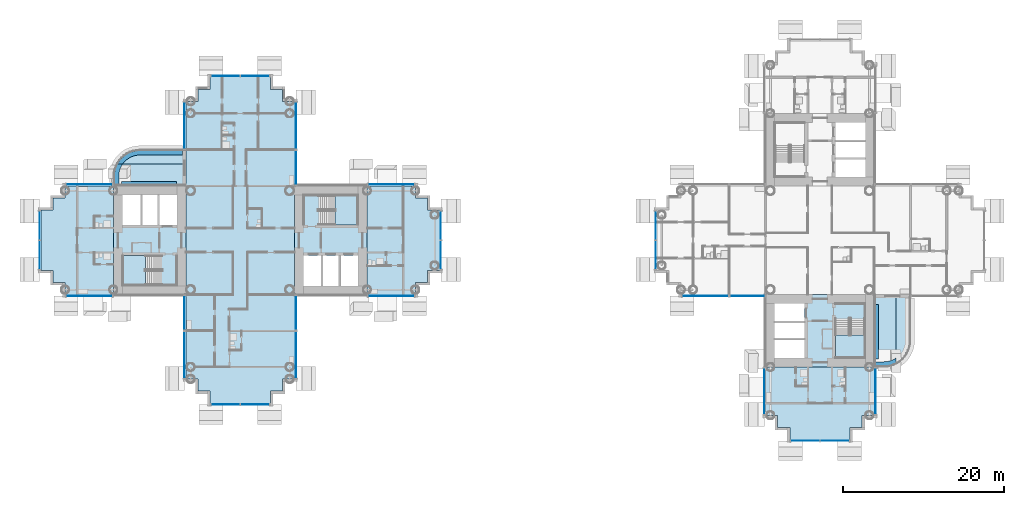
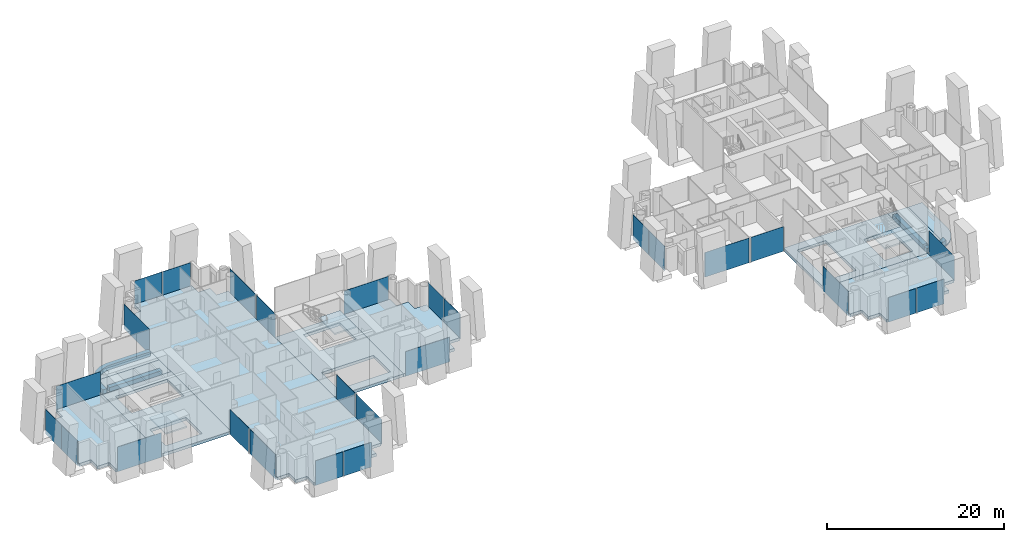
# One storey, part 8 of 25: 27 plates, 19 slabs, 24 elements without a shape of their own.
"""IFC4 building model written with IfcOpenShell, lengths in metres."""

from ifc_helpers import new_model, si_unit, direction, frame, origin, origin_2d, place, context, subcontext, project, spatial, polyline, rectangle, outline, extrude, material, layer, layer_set, type_object, element, aggregate, save


model = new_model("IFC4")

# Units and contexts
model_context = context("Model", 3, precision=1e-05, world=origin(), true_north=direction((0.0, 1.0)))
body_context = subcontext(model_context, "Body", "Model", "MODEL_VIEW")
ifc_project = project(units=[si_unit("LENGTHUNIT", "METRE"), si_unit("AREAUNIT", "SQUARE_METRE"), si_unit("VOLUMEUNIT", "CUBIC_METRE"), si_unit("PLANEANGLEUNIT", "RADIAN"), si_unit("MASSUNIT", "GRAM", prefix="KILO")], contexts=[model_context])

# Site, building, storey
site_placement = place(None, origin())
site = spatial("IfcSite", under=ifc_project, at=site_placement, CompositionType="ELEMENT")
building_placement = place(site_placement, origin())
building = spatial("IfcBuilding", under=site, at=building_placement, Name="Ipe Terrace Towers", CompositionType="ELEMENT")
storey_placement = place(building_placement, frame((0.0, 0.0, 31.300048828125)))
storey = spatial("IfcBuildingStorey", under=building, at=storey_placement, Name="L07", CompositionType="ELEMENT", Elevation=31.300048828125)

# Slabs
ifc_material_1 = material(Name="Concrete C30/37", Category="concrete")
ifc_layer_1 = layer(ifc_material_1, 0.199951171875)
ifc_layer_set_1 = layer_set([ifc_layer_1], Name="BALCONY SLAB 200")
slab_type_1 = type_object("IfcSlabType", Name="BALCONY SLAB 200", PredefinedType="FLOOR", material=ifc_layer_set_1)
slab_1_placement = place(storey_placement, frame((0.0, 0.0, -0.219970703125)))
element("IfcSlab", 1, at=slab_1_placement, inside=storey, type_object=slab_type_1, Name="balcony slab", PredefinedType="FLOOR", context=body_context, shape_type="SweptSolid", body=[
    extrude(outline(polyline([(-51.4990234375, 9.212890625), (-51.637939453125, 8.803955078125), (-51.721923828125, 8.381103515625), (-51.75, 7.949951171875), (-51.75, 6.75), (-42.75, 6.75), (-42.75, 9.449951171875), (-51.382080078125, 9.449951171875), (-51.4990234375, 9.212890625)])), origin(), (0.0, 0.0, 1.0), 0.199951171875),
])
slab_2_placement = place(storey_placement, frame((0.0, 0.0, -0.219970703125)))
element("IfcSlab", 2, at=slab_2_placement, inside=storey, type_object=slab_type_1, Name="balcony slab", PredefinedType="FLOOR", context=body_context, shape_type="SweptSolid", body=[
    extrude(outline(polyline([(-42.75, 11.25), (-48.449951171875, 11.25), (-48.881103515625, 11.221923828125), (-49.303955078125, 11.137939453125), (-49.712890625, 10.9990234375), (-50.10009765625, 10.80810546875), (-50.458984375, 10.568115234375), (-50.782958984375, 10.282958984375), (-51.068115234375, 9.958984375), (-51.30810546875, 9.60009765625), (-51.382080078125, 9.449951171875), (-42.75, 9.449951171875), (-42.75, 11.25)])), origin(), (0.0, 0.0, 1.0), 0.199951171875),
])
slab_3_placement = place(storey_placement, frame((0.0, 0.0, -0.219970703125)))
element("IfcSlab", 3, at=slab_3_placement, inside=storey, type_object=slab_type_1, Name="balcony slab", PredefinedType="FLOOR", context=body_context, shape_type="SweptSolid", body=[
    extrude(outline(polyline([(45.212890625, -15.4990234375), (45.449951171875, -15.382080078125), (45.449951171875, -6.75), (42.75, -6.75), (42.75, -15.75), (43.949951171875, -15.75), (44.381103515625, -15.721923828125), (44.803955078125, -15.637939453125), (45.212890625, -15.4990234375)])), origin(), (0.0, 0.0, 1.0), 0.199951171875),
])
slab_4_placement = place(storey_placement, frame((0.0, 0.0, -0.219970703125)))
element("IfcSlab", 4, at=slab_4_placement, inside=storey, type_object=slab_type_1, Name="balcony slab", PredefinedType="FLOOR", context=body_context, shape_type="SweptSolid", body=[
    extrude(outline(polyline([(47.25, -6.75), (45.449951171875, -6.75), (45.449951171875, -15.382080078125), (45.60009765625, -15.30810546875), (45.958984375, -15.068115234375), (46.282958984375, -14.782958984375), (46.568115234375, -14.458984375), (46.80810546875, -14.10009765625), (46.9990234375, -13.712890625), (47.137939453125, -13.303955078125), (47.221923828125, -12.881103515625), (47.25, -12.449951171875), (47.25, -6.75)])), origin(), (0.0, 0.0, 1.0), 0.199951171875),
])
ifc_material_2 = material(Name="Concrete C30/37", Category="concrete")
ifc_layer_2 = layer(ifc_material_2, 0.39990234375)
ifc_layer_set_2 = layer_set([ifc_layer_2], Name="CORE FLOOR SLAB 400 C30-37")
slab_type_2 = type_object("IfcSlabType", Name="CORE FLOOR SLAB 400 C30-37", PredefinedType="FLOOR", material=ifc_layer_set_2)
slab_5_placement = place(storey_placement, frame((0.0, 0.0, -0.400146484375)))
element("IfcSlab", 5, at=slab_5_placement, inside=storey, type_object=slab_type_2, Name="Core floor T1-C1", PredefinedType="FLOOR", context=body_context, shape_type="SweptSolid", body=[
    extrude(outline(polyline([(-29.25, -6.75), (-29.25, 6.75), (-20.25, 6.75), (-20.25, -6.75), (-29.25, -6.75)]), holes=[polyline([(-28.14990234375, -5.64990234375), (-21.35009765625, -5.64990234375), (-21.35009765625, -1.89990234375), (-28.14990234375, -1.89990234375), (-28.14990234375, -5.64990234375)]), polyline([(-26.199951171875, 5.550048828125), (-26.199951171875, 1.89990234375), (-21.449951171875, 1.89990234375), (-21.449951171875, 5.550048828125), (-26.199951171875, 5.550048828125)])]), origin(), (0.0, 0.0, 1.0), 0.400146484375),
])
slab_6_placement = place(storey_placement, frame((0.0, 0.0, -0.400146484375)))
element("IfcSlab", 6, at=slab_6_placement, inside=storey, type_object=slab_type_2, Name="Core floor T1-C2", PredefinedType="FLOOR", context=body_context, shape_type="SweptSolid", body=[
    extrude(outline(polyline([(-51.75, -6.75), (-51.75, 6.75), (-42.75, 6.75), (-42.75, -6.75), (-51.75, -6.75)]), holes=[polyline([(-45.800048828125, -5.550048828125), (-45.800048828125, -1.89990234375), (-50.550048828125, -1.89990234375), (-50.550048828125, -5.550048828125), (-45.800048828125, -5.550048828125)]), polyline([(-50.64990234375, 1.89990234375), (-43.85009765625, 1.89990234375), (-43.85009765625, 5.64990234375), (-50.64990234375, 5.64990234375), (-50.64990234375, 1.89990234375)])]), origin(), (0.0, 0.0, 1.0), 0.400146484375),
])
slab_7_placement = place(storey_placement, frame((0.0, 0.0, -0.400146484375)))
element("IfcSlab", 7, at=slab_7_placement, inside=storey, type_object=slab_type_2, Name="Core floor T2-C2", PredefinedType="FLOOR", context=body_context, shape_type="SweptSolid", body=[
    extrude(outline(polyline([(29.25, -15.75), (29.25, -6.75), (42.75, -6.75), (42.75, -15.75), (29.25, -15.75)]), holes=[polyline([(34.10009765625, -14.64990234375), (34.10009765625, -7.85009765625), (30.35009765625, -7.85009765625), (30.35009765625, -14.64990234375), (34.10009765625, -14.64990234375)]), polyline([(41.550048828125, -9.800048828125), (37.89990234375, -9.800048828125), (37.89990234375, -14.550048828125), (41.550048828125, -14.550048828125), (41.550048828125, -9.800048828125)])]), origin(), (0.0, 0.0, 1.0), 0.400146484375),
])

# Stair, slab
ifc_material_3 = material(Name="Concrete C30/37", Category="concrete")
stair_type = type_object("IfcStairType", Name="Protected exit stair", PredefinedType="HALF_TURN_STAIR", material=ifc_material_3)
stair_1_placement = place(storey_placement, origin())
stair_1 = element("IfcStair", 8, at=stair_1_placement, inside=storey, type_object=stair_type, Name="L07 Exit stair T1-C1", PredefinedType="HALF_TURN_STAIR")
ifc_material_4 = material(Name="Concrete C30/37", Category="concrete")
ifc_layer_3 = layer(ifc_material_4, 0.199951171875)
ifc_layer_set_3 = layer_set([ifc_layer_3], Name="Exit stair landing 200")
slab_type_3 = type_object("IfcSlabType", Name="Exit stair landing 200", PredefinedType="LANDING", material=ifc_layer_set_3)
slab_8_placement = place(storey_placement, frame((0.0, 0.0, 1.5)))
slab_8 = element("IfcSlab", 9, at=slab_8_placement, type_object=slab_type_3, Name="T1-ST1 landing 1", PredefinedType="LANDING", context=body_context, shape_type="SweptSolid", body=[
    extrude(outline(polyline([(-24.219970703125, 1.89990234375), (-21.449951171875, 1.89990234375), (-21.449951171875, 5.550048828125), (-24.219970703125, 5.550048828125), (-24.219970703125, 1.89990234375)])), origin(), (0.0, 0.0, 1.0), 0.199951171875),
])
aggregate(stair_1, [slab_8])

stair_2_placement = place(storey_placement, origin())
stair_2 = element("IfcStair", 10, at=stair_2_placement, inside=storey, type_object=stair_type, Name="L07 Exit stair T1-C2", PredefinedType="HALF_TURN_STAIR")
slab_9_placement = place(storey_placement, frame((0.0, 0.0, 1.5)))
slab_9 = element("IfcSlab", 11, at=slab_9_placement, type_object=slab_type_3, Name="T1-ST2 landing 1", PredefinedType="LANDING", context=body_context, shape_type="SweptSolid", body=[
    extrude(outline(polyline([(-47.780029296875, -1.89990234375), (-50.550048828125, -1.89990234375), (-50.550048828125, -5.550048828125), (-47.780029296875, -5.550048828125), (-47.780029296875, -1.89990234375)])), origin(), (0.0, 0.0, 1.0), 0.199951171875),
])
aggregate(stair_2, [slab_9])

stair_3_placement = place(storey_placement, origin())
stair_3 = element("IfcStair", 12, at=stair_3_placement, inside=storey, type_object=stair_type, Name="L07 Exit stair T2-C2", PredefinedType="HALF_TURN_STAIR")
slab_10_placement = place(storey_placement, frame((0.0, 0.0, 1.5)))
slab_10 = element("IfcSlab", 13, at=slab_10_placement, type_object=slab_type_3, Name="T2-ST2 landing 1", PredefinedType="LANDING", context=body_context, shape_type="SweptSolid", body=[
    extrude(outline(polyline([(37.89990234375, -11.780029296875), (37.89990234375, -14.550048828125), (41.550048828125, -14.550048828125), (41.550048828125, -11.780029296875), (37.89990234375, -11.780029296875)])), origin(), (0.0, 0.0, 1.0), 0.199951171875),
])
aggregate(stair_3, [slab_10])

# Slabs
ifc_material_5 = material(Name="Concrete C40/50", Category="concrete")
ifc_layer_4 = layer(ifc_material_5, 0.39990234375)
ifc_layer_set_4 = layer_set([ifc_layer_4], Name="FLAT PLATE SLAB 400 C40-50")
slab_type_4 = type_object("IfcSlabType", Name="FLAT PLATE SLAB 400 C40-50", PredefinedType="FLOOR", material=ifc_layer_set_4)
slab_11_placement = place(storey_placement, frame((0.0, 0.0, -0.400146484375)))
element("IfcSlab", 14, at=slab_11_placement, inside=storey, type_object=slab_type_4, Name="Slab T1-FS-Z11", PredefinedType="FLOOR", context=body_context, shape_type="SweptSolid", body=[
    extrude(outline(polyline([(-30.75, -17.25), (-30.75, -18.75), (-32.25, -18.75), (-32.25, -20.25), (-39.75, -20.25), (-39.75, -18.75), (-41.25, -18.75), (-41.25, -17.25), (-42.75, -17.25), (-42.75, -6.75), (-42.75, 6.75), (-42.75, 17.25), (-41.25, 17.25), (-41.25, 18.75), (-39.75, 18.75), (-39.75, 20.25), (-32.25, 20.25), (-32.25, 18.75), (-30.75, 18.75), (-30.75, 17.25), (-29.25, 17.25), (-29.25, 6.75), (-29.25, -6.75), (-29.25, -17.25), (-30.75, -17.25)])), origin(), (0.0, 0.0, 1.0), 0.400146484375),
])
slab_12_placement = place(storey_placement, frame((0.0, 0.0, -0.400146484375)))
element("IfcSlab", 15, at=slab_12_placement, inside=storey, type_object=slab_type_4, Name="Slab T1-FS-Z12", PredefinedType="FLOOR", context=body_context, shape_type="SweptSolid", body=[
    extrude(outline(polyline([(-57.75, -6.75), (-57.75, -5.25), (-59.25, -5.25), (-59.25, -3.75), (-60.75, -3.75), (-60.75, 3.75), (-59.25, 3.75), (-59.25, 5.25), (-57.75, 5.25), (-57.75, 6.75), (-51.75, 6.75), (-51.75, -6.75), (-57.75, -6.75)])), origin(), (0.0, 0.0, 1.0), 0.400146484375),
])
slab_13_placement = place(storey_placement, frame((0.0, 0.0, -0.400146484375)))
element("IfcSlab", 16, at=slab_13_placement, inside=storey, type_object=slab_type_4, Name="Slab T1-FS-Z13", PredefinedType="FLOOR", context=body_context, shape_type="SweptSolid", body=[
    extrude(outline(polyline([(-14.25, 5.25), (-12.75, 5.25), (-12.75, 3.75), (-11.25, 3.75), (-11.25, -3.75), (-12.75, -3.75), (-12.75, -5.25), (-14.25, -5.25), (-14.25, -6.75), (-20.25, -6.75), (-20.25, 6.75), (-14.25, 6.75), (-14.25, 5.25)])), origin(), (0.0, 0.0, 1.0), 0.400146484375),
])
slab_14_placement = place(storey_placement, frame((0.0, 0.0, -0.400146484375)))
element("IfcSlab", 17, at=slab_14_placement, inside=storey, type_object=slab_type_4, Name="Slab T2-FS-Z12", PredefinedType="FLOOR", context=body_context, shape_type="SweptSolid", body=[
    extrude(outline(polyline([(42.75, -21.75), (41.25, -21.75), (41.25, -23.25), (39.75, -23.25), (39.75, -24.75), (32.25, -24.75), (32.25, -23.25), (30.75, -23.25), (30.75, -21.75), (29.25, -21.75), (29.25, -15.75), (42.75, -15.75), (42.75, -21.75)])), origin(), (0.0, 0.0, 1.0), 0.400146484375),
])
ifc_material_6 = material(Name="Concrete C30/37", Category="concrete")
ifc_layer_5 = layer(ifc_material_6, 0.60009765625)
ifc_layer_set_5 = layer_set([ifc_layer_5], Name="PLANTER TROUGH 550 x 600")
slab_type_5 = type_object("IfcSlabType", Name="PLANTER TROUGH 550 x 600", PredefinedType="USERDEFINED", material=ifc_layer_set_5)
slab_15_placement = place(storey_placement, frame((0.0, 0.0, -0.02001953125)))
element("IfcSlab", 18, at=slab_15_placement, inside=storey, type_object=slab_type_5, Name="planter", ObjectType="PLANTER", PredefinedType="USERDEFINED", context=body_context, shape_type="SweptSolid", body=[
    extrude(outline(polyline([(-50.9990234375, 8.633056640625), (-50.887939453125, 8.9599609375), (-50.735107421875, 9.26904296875), (-50.614013671875, 9.449951171875), (-51.259033203125, 9.449951171875), (-51.388916015625, 9.18701171875), (-51.403076171875, 9.154052734375), (-51.52490234375, 8.79296875), (-51.534912109375, 8.758056640625), (-51.60888671875, 8.384033203125), (-51.614013671875, 8.347900390625), (-51.638916015625, 7.955078125), (-51.639892578125, 7.93701171875), (-51.639892578125, 6.75), (-51.090087890625, 6.75), (-51.090087890625, 7.927978515625), (-51.06591796875, 8.2939453125), (-50.9990234375, 8.633056640625)])), origin(), (0.0, 0.0, 1.0), 0.599853515625),
])
slab_16_placement = place(storey_placement, frame((0.0, 0.0, -0.02001953125)))
element("IfcSlab", 19, at=slab_16_placement, inside=storey, type_object=slab_type_5, Name="planter", ObjectType="PLANTER", PredefinedType="USERDEFINED", context=body_context, shape_type="SweptSolid", body=[
    extrude(outline(polyline([(-50.54296875, 9.555908203125), (-50.31591796875, 9.81591796875), (-50.055908203125, 10.04296875), (-49.76904296875, 10.235107421875), (-49.4599609375, 10.387939453125), (-49.133056640625, 10.4990234375), (-48.7939453125, 10.56591796875), (-48.427978515625, 10.590087890625), (-43.199951171875, 10.590087890625), (-43.199951171875, 11.139892578125), (-48.43701171875, 11.139892578125), (-48.455078125, 11.138916015625), (-48.847900390625, 11.114013671875), (-48.884033203125, 11.10888671875), (-49.258056640625, 11.034912109375), (-49.29296875, 11.02490234375), (-49.654052734375, 10.903076171875), (-49.68701171875, 10.888916015625), (-50.029052734375, 10.719970703125), (-50.06005859375, 10.701904296875), (-50.376953125, 10.490966796875), (-50.405029296875, 10.468994140625), (-50.69189453125, 10.217041015625), (-50.717041015625, 10.19189453125), (-50.968994140625, 9.905029296875), (-50.990966796875, 9.876953125), (-51.201904296875, 9.56005859375), (-51.219970703125, 9.529052734375), (-51.259033203125, 9.449951171875), (-50.614013671875, 9.449951171875), (-50.54296875, 9.555908203125)])), origin(), (0.0, 0.0, 1.0), 0.599853515625),
])
slab_17_placement = place(storey_placement, frame((0.0, 0.0, -0.02001953125)))
element("IfcSlab", 20, at=slab_17_placement, inside=storey, type_object=slab_type_5, Name="planter", ObjectType="PLANTER", PredefinedType="USERDEFINED", context=body_context, shape_type="SweptSolid", body=[
    extrude(outline(polyline([(-43.949951171875, 6.75), (-43.949951171875, 7.300048828125), (-50.75, 7.300048828125), (-50.75, 6.75), (-43.949951171875, 6.75)])), origin(), (0.0, 0.0, 1.0), 0.599853515625),
])
slab_18_placement = place(storey_placement, frame((0.0, 0.0, -0.02001953125)))
element("IfcSlab", 21, at=slab_18_placement, inside=storey, type_object=slab_type_5, Name="planter", ObjectType="PLANTER", PredefinedType="USERDEFINED", context=body_context, shape_type="SweptSolid", body=[
    extrude(outline(polyline([(44.633056640625, -14.9990234375), (44.2939453125, -15.06591796875), (43.927978515625, -15.090087890625), (42.75, -15.090087890625), (42.75, -15.639892578125), (43.93701171875, -15.639892578125), (43.955078125, -15.638916015625), (44.347900390625, -15.614013671875), (44.384033203125, -15.60888671875), (44.758056640625, -15.534912109375), (44.79296875, -15.52490234375), (45.154052734375, -15.403076171875), (45.18701171875, -15.388916015625), (45.449951171875, -15.259033203125), (45.449951171875, -14.614013671875), (45.26904296875, -14.735107421875), (44.9599609375, -14.887939453125), (44.633056640625, -14.9990234375)])), origin(), (0.0, 0.0, 1.0), 0.599853515625),
])
slab_19_placement = place(storey_placement, frame((0.0, 0.0, -0.02001953125)))
element("IfcSlab", 22, at=slab_19_placement, inside=storey, type_object=slab_type_5, Name="planter", ObjectType="PLANTER", PredefinedType="USERDEFINED", context=body_context, shape_type="SweptSolid", body=[
    extrude(outline(polyline([(42.75, -7.949951171875), (42.75, -14.75), (43.300048828125, -14.75), (43.300048828125, -7.949951171875), (42.75, -7.949951171875)])), origin(), (0.0, 0.0, 1.0), 0.599853515625),
])

# Curtain wall, plate
ifc_material_7 = material(Name="Aluminium alloy 6063-T6", Category="aluminium")
ifc_layer_6 = layer(ifc_material_7, 0.320068359375)
ifc_layer_set_6 = layer_set([ifc_layer_6], Name="TOWER UNITISED CURTAIN WALL")
curtain_wall_type = type_object("IfcCurtainWallType", Name="TOWER UNITISED CURTAIN WALL", PredefinedType="NOTDEFINED", material=ifc_layer_set_6)
curtain_wall_1_placement = place(storey_placement, origin())
curtain_wall_1 = element("IfcCurtainWall", 23, at=curtain_wall_1_placement, inside=storey, type_object=curtain_wall_type, Name="T1-CW-L07-04a curtain wall", PredefinedType="NOTDEFINED")
ifc_material_8 = material(Name="Glass, clear laminated", Category="glass")
ifc_layer_7 = layer(ifc_material_8, 0.031982421875)
ifc_layer_set_7 = layer_set([ifc_layer_7], Name="TOWER UNITISED GLASS PANEL 32")
plate_type = type_object("IfcPlateType", Name="TOWER UNITISED GLASS PANEL 32", PredefinedType="CURTAIN_PANEL", material=ifc_layer_set_7)
plate_1_placement = place(storey_placement, frame((-54.75048828125, -6.909912109375, -0.300048828125), z_axis=(0.0, 0.0, 1.0), x_axis=(1.0, 0.0, 0.0)))
plate_1 = element("IfcPlate", 24, at=plate_1_placement, type_object=plate_type, Name="T1-CW-L07-04a panel 1", PredefinedType="CURTAIN_PANEL", context=body_context, shape_type="SweptSolid", body=[
    extrude(rectangle(XDim=5.759033203125, YDim=0.031982421875, at=origin_2d()), origin(), (0.0, 0.0, 1.0), 3.39990234375),
])
aggregate(curtain_wall_1, [plate_1])

curtain_wall_2_placement = place(storey_placement, origin())
curtain_wall_2 = element("IfcCurtainWall", 25, at=curtain_wall_2_placement, inside=storey, type_object=curtain_wall_type, Name="T1-CW-L07-06a curtain wall", PredefinedType="NOTDEFINED")
plate_2_placement = place(storey_placement, frame((-42.909912109375, -9.0, -0.300048828125), z_axis=(0.0, 0.0, 1.0), x_axis=(0.0, -1.0, 0.0)))
plate_2 = element("IfcPlate", 26, at=plate_2_placement, type_object=plate_type, Name="T1-CW-L07-06a panel 1", PredefinedType="CURTAIN_PANEL", context=body_context, shape_type="SweptSolid", body=[
    extrude(rectangle(XDim=4.260009765625, YDim=0.031982421875, at=origin_2d()), origin(), (0.0, 0.0, 1.0), 3.39990234375),
])
aggregate(curtain_wall_2, [plate_2])

curtain_wall_3_placement = place(storey_placement, origin())
curtain_wall_3 = element("IfcCurtainWall", 27, at=curtain_wall_3_placement, inside=storey, type_object=curtain_wall_type, Name="T1-CW-L07-07a curtain wall", PredefinedType="NOTDEFINED")
plate_3_placement = place(storey_placement, frame((-42.909912109375, -14.25, -0.300048828125), z_axis=(0.0, 0.0, 1.0), x_axis=(0.0, -1.0, 0.0)))
plate_3 = element("IfcPlate", 28, at=plate_3_placement, type_object=plate_type, Name="T1-CW-L07-07a panel 1", PredefinedType="CURTAIN_PANEL", context=body_context, shape_type="SweptSolid", body=[
    extrude(rectangle(XDim=5.760009765625, YDim=0.031982421875, at=origin_2d()), origin(), (0.0, 0.0, 1.0), 3.39990234375),
])
aggregate(curtain_wall_3, [plate_3])

# Curtain wall, plates
curtain_wall_4_placement = place(storey_placement, origin())
curtain_wall_4 = element("IfcCurtainWall", 29, at=curtain_wall_4_placement, inside=storey, type_object=curtain_wall_type, Name="T1-CW-L07-12a curtain wall", PredefinedType="NOTDEFINED")
plate_4_placement = place(storey_placement, frame((-37.831298828125, -20.409912109375, -0.300048828125), z_axis=(0.0, 0.0, 1.0), x_axis=(1.0, 0.0, 0.0)))
plate_4 = element("IfcPlate", 30, at=plate_4_placement, type_object=plate_type, Name="T1-CW-L07-12a panel 1", PredefinedType="CURTAIN_PANEL", context=body_context, shape_type="SweptSolid", body=[
    extrude(rectangle(XDim=3.597412109375, YDim=0.031982421875, at=origin_2d()), origin(), (0.0, 0.0, 1.0), 3.39990234375),
])
plate_5_placement = place(storey_placement, frame((-34.168701171875, -20.409912109375, -0.300048828125), z_axis=(0.0, 0.0, 1.0), x_axis=(1.0, 0.0, 0.0)))
plate_5 = element("IfcPlate", 31, at=plate_5_placement, type_object=plate_type, Name="T1-CW-L07-12a panel 2", PredefinedType="CURTAIN_PANEL", context=body_context, shape_type="SweptSolid", body=[
    extrude(rectangle(XDim=3.597412109375, YDim=0.031982421875, at=origin_2d()), origin(), (0.0, 0.0, 1.0), 3.39990234375),
])
aggregate(curtain_wall_4, [plate_4, plate_5])

# Curtain wall, plate
curtain_wall_5_placement = place(storey_placement, origin())
curtain_wall_5 = element("IfcCurtainWall", 32, at=curtain_wall_5_placement, inside=storey, type_object=curtain_wall_type, Name="T1-CW-L07-17a curtain wall", PredefinedType="NOTDEFINED")
plate_6_placement = place(storey_placement, frame((-29.090087890625, -14.25, -0.300048828125), z_axis=(0.0, 0.0, 1.0), x_axis=(0.0, 1.0, 0.0)))
plate_6 = element("IfcPlate", 33, at=plate_6_placement, type_object=plate_type, Name="T1-CW-L07-17a panel 1", PredefinedType="CURTAIN_PANEL", context=body_context, shape_type="SweptSolid", body=[
    extrude(rectangle(XDim=5.760009765625, YDim=0.031982421875, at=origin_2d()), origin(), (0.0, 0.0, 1.0), 3.39990234375),
])
aggregate(curtain_wall_5, [plate_6])

curtain_wall_6_placement = place(storey_placement, origin())
curtain_wall_6 = element("IfcCurtainWall", 34, at=curtain_wall_6_placement, inside=storey, type_object=curtain_wall_type, Name="T1-CW-L07-18a curtain wall", PredefinedType="NOTDEFINED")
plate_7_placement = place(storey_placement, frame((-29.090087890625, -9.0, -0.300048828125), z_axis=(0.0, 0.0, 1.0), x_axis=(0.0, 1.0, 0.0)))
plate_7 = element("IfcPlate", 35, at=plate_7_placement, type_object=plate_type, Name="T1-CW-L07-18a panel 1", PredefinedType="CURTAIN_PANEL", context=body_context, shape_type="SweptSolid", body=[
    extrude(rectangle(XDim=4.260009765625, YDim=0.031982421875, at=origin_2d()), origin(), (0.0, 0.0, 1.0), 3.39990234375),
])
aggregate(curtain_wall_6, [plate_7])

curtain_wall_7_placement = place(storey_placement, origin())
curtain_wall_7 = element("IfcCurtainWall", 36, at=curtain_wall_7_placement, inside=storey, type_object=curtain_wall_type, Name="T1-CW-L07-20b curtain wall", PredefinedType="NOTDEFINED")
plate_8_placement = place(storey_placement, frame((-17.24951171875, -6.909912109375, -0.300048828125), z_axis=(0.0, 0.0, 1.0), x_axis=(1.0, 0.0, 0.0)))
plate_8 = element("IfcPlate", 37, at=plate_8_placement, type_object=plate_type, Name="T1-CW-L07-20b panel 1", PredefinedType="CURTAIN_PANEL", context=body_context, shape_type="SweptSolid", body=[
    extrude(rectangle(XDim=5.759033203125, YDim=0.031982421875, at=origin_2d()), origin(), (0.0, 0.0, 1.0), 3.39990234375),
])
aggregate(curtain_wall_7, [plate_8])

# Curtain wall, plates
curtain_wall_8_placement = place(storey_placement, origin())
curtain_wall_8 = element("IfcCurtainWall", 38, at=curtain_wall_8_placement, inside=storey, type_object=curtain_wall_type, Name="T1-CW-L07-25a curtain wall", PredefinedType="NOTDEFINED")
plate_9_placement = place(storey_placement, frame((-11.090087890625, -1.831298828125, -0.300048828125), z_axis=(0.0, 0.0, 1.0), x_axis=(0.0, 1.0, 0.0)))
plate_9 = element("IfcPlate", 39, at=plate_9_placement, type_object=plate_type, Name="T1-CW-L07-25a panel 1", PredefinedType="CURTAIN_PANEL", context=body_context, shape_type="SweptSolid", body=[
    extrude(rectangle(XDim=3.597412109375, YDim=0.031982421875, at=origin_2d()), origin(), (0.0, 0.0, 1.0), 3.39990234375),
])
plate_10_placement = place(storey_placement, frame((-11.090087890625, 1.831298828125, -0.300048828125), z_axis=(0.0, 0.0, 1.0), x_axis=(0.0, 1.0, 0.0)))
plate_10 = element("IfcPlate", 40, at=plate_10_placement, type_object=plate_type, Name="T1-CW-L07-25a panel 2", PredefinedType="CURTAIN_PANEL", context=body_context, shape_type="SweptSolid", body=[
    extrude(rectangle(XDim=3.597412109375, YDim=0.031982421875, at=origin_2d()), origin(), (0.0, 0.0, 1.0), 3.39990234375),
])
aggregate(curtain_wall_8, [plate_9, plate_10])

# Curtain wall, plate
curtain_wall_9_placement = place(storey_placement, origin())
curtain_wall_9 = element("IfcCurtainWall", 41, at=curtain_wall_9_placement, inside=storey, type_object=curtain_wall_type, Name="T1-CW-L07-30a curtain wall", PredefinedType="NOTDEFINED")
plate_11_placement = place(storey_placement, frame((-17.24951171875, 6.909912109375, -0.300048828125), z_axis=(0.0, 0.0, 1.0), x_axis=(-1.0, 0.0, 0.0)))
plate_11 = element("IfcPlate", 42, at=plate_11_placement, type_object=plate_type, Name="T1-CW-L07-30a panel 1", PredefinedType="CURTAIN_PANEL", context=body_context, shape_type="SweptSolid", body=[
    extrude(rectangle(XDim=5.759033203125, YDim=0.031982421875, at=origin_2d()), origin(), (0.0, 0.0, 1.0), 3.39990234375),
])
aggregate(curtain_wall_9, [plate_11])

curtain_wall_10_placement = place(storey_placement, origin())
curtain_wall_10 = element("IfcCurtainWall", 43, at=curtain_wall_10_placement, inside=storey, type_object=curtain_wall_type, Name="T1-CW-L07-32a curtain wall", PredefinedType="NOTDEFINED")
plate_12_placement = place(storey_placement, frame((-29.090087890625, 9.0, -0.300048828125), z_axis=(0.0, 0.0, 1.0), x_axis=(0.0, 1.0, 0.0)))
plate_12 = element("IfcPlate", 44, at=plate_12_placement, type_object=plate_type, Name="T1-CW-L07-32a panel 1", PredefinedType="CURTAIN_PANEL", context=body_context, shape_type="SweptSolid", body=[
    extrude(rectangle(XDim=4.260009765625, YDim=0.031982421875, at=origin_2d()), origin(), (0.0, 0.0, 1.0), 3.39990234375),
])
aggregate(curtain_wall_10, [plate_12])

curtain_wall_11_placement = place(storey_placement, origin())
curtain_wall_11 = element("IfcCurtainWall", 45, at=curtain_wall_11_placement, inside=storey, type_object=curtain_wall_type, Name="T1-CW-L07-33a curtain wall", PredefinedType="NOTDEFINED")
plate_13_placement = place(storey_placement, frame((-29.090087890625, 14.25, -0.300048828125), z_axis=(0.0, 0.0, 1.0), x_axis=(0.0, 1.0, 0.0)))
plate_13 = element("IfcPlate", 46, at=plate_13_placement, type_object=plate_type, Name="T1-CW-L07-33a panel 1", PredefinedType="CURTAIN_PANEL", context=body_context, shape_type="SweptSolid", body=[
    extrude(rectangle(XDim=5.760009765625, YDim=0.031982421875, at=origin_2d()), origin(), (0.0, 0.0, 1.0), 3.39990234375),
])
aggregate(curtain_wall_11, [plate_13])

# Curtain wall, plates
curtain_wall_12_placement = place(storey_placement, origin())
curtain_wall_12 = element("IfcCurtainWall", 47, at=curtain_wall_12_placement, inside=storey, type_object=curtain_wall_type, Name="T1-CW-L07-38a curtain wall", PredefinedType="NOTDEFINED")
plate_14_placement = place(storey_placement, frame((-34.168701171875, 20.409912109375, -0.300048828125), z_axis=(0.0, 0.0, 1.0), x_axis=(-1.0, 0.0, 0.0)))
plate_14 = element("IfcPlate", 48, at=plate_14_placement, type_object=plate_type, Name="T1-CW-L07-38a panel 1", PredefinedType="CURTAIN_PANEL", context=body_context, shape_type="SweptSolid", body=[
    extrude(rectangle(XDim=3.597412109375, YDim=0.031982421875, at=origin_2d()), origin(), (0.0, 0.0, 1.0), 3.39990234375),
])
plate_15_placement = place(storey_placement, frame((-37.831298828125, 20.409912109375, -0.300048828125), z_axis=(0.0, 0.0, 1.0), x_axis=(-1.0, 0.0, 0.0)))
plate_15 = element("IfcPlate", 49, at=plate_15_placement, type_object=plate_type, Name="T1-CW-L07-38a panel 2", PredefinedType="CURTAIN_PANEL", context=body_context, shape_type="SweptSolid", body=[
    extrude(rectangle(XDim=3.597412109375, YDim=0.031982421875, at=origin_2d()), origin(), (0.0, 0.0, 1.0), 3.39990234375),
])
aggregate(curtain_wall_12, [plate_14, plate_15])

# Curtain wall, plate
curtain_wall_13_placement = place(storey_placement, origin())
curtain_wall_13 = element("IfcCurtainWall", 50, at=curtain_wall_13_placement, inside=storey, type_object=curtain_wall_type, Name="T1-CW-L07-43a curtain wall", PredefinedType="NOTDEFINED")
plate_16_placement = place(storey_placement, frame((-42.909912109375, 14.25, -0.300048828125), z_axis=(0.0, 0.0, 1.0), x_axis=(0.0, -1.0, 0.0)))
plate_16 = element("IfcPlate", 51, at=plate_16_placement, type_object=plate_type, Name="T1-CW-L07-43a panel 1", PredefinedType="CURTAIN_PANEL", context=body_context, shape_type="SweptSolid", body=[
    extrude(rectangle(XDim=5.760009765625, YDim=0.031982421875, at=origin_2d()), origin(), (0.0, 0.0, 1.0), 3.39990234375),
])
aggregate(curtain_wall_13, [plate_16])

curtain_wall_14_placement = place(storey_placement, origin())
curtain_wall_14 = element("IfcCurtainWall", 52, at=curtain_wall_14_placement, inside=storey, type_object=curtain_wall_type, Name="T1-CW-L07-46b curtain wall", PredefinedType="NOTDEFINED")
plate_17_placement = place(storey_placement, frame((-54.75048828125, 6.909912109375, -0.300048828125), z_axis=(0.0, 0.0, 1.0), x_axis=(-1.0, 0.0, 0.0)))
plate_17 = element("IfcPlate", 53, at=plate_17_placement, type_object=plate_type, Name="T1-CW-L07-46b panel 1", PredefinedType="CURTAIN_PANEL", context=body_context, shape_type="SweptSolid", body=[
    extrude(rectangle(XDim=5.759033203125, YDim=0.031982421875, at=origin_2d()), origin(), (0.0, 0.0, 1.0), 3.39990234375),
])
aggregate(curtain_wall_14, [plate_17])

# Curtain wall, plates
curtain_wall_15_placement = place(storey_placement, origin())
curtain_wall_15 = element("IfcCurtainWall", 54, at=curtain_wall_15_placement, inside=storey, type_object=curtain_wall_type, Name="T1-CW-L07-51a curtain wall", PredefinedType="NOTDEFINED")
plate_18_placement = place(storey_placement, frame((-60.909912109375, 1.831298828125, -0.300048828125), z_axis=(0.0, 0.0, 1.0), x_axis=(0.0, -1.0, 0.0)))
plate_18 = element("IfcPlate", 55, at=plate_18_placement, type_object=plate_type, Name="T1-CW-L07-51a panel 1", PredefinedType="CURTAIN_PANEL", context=body_context, shape_type="SweptSolid", body=[
    extrude(rectangle(XDim=3.597412109375, YDim=0.031982421875, at=origin_2d()), origin(), (0.0, 0.0, 1.0), 3.39990234375),
])
plate_19_placement = place(storey_placement, frame((-60.909912109375, -1.831298828125, -0.300048828125), z_axis=(0.0, 0.0, 1.0), x_axis=(0.0, -1.0, 0.0)))
plate_19 = element("IfcPlate", 56, at=plate_19_placement, type_object=plate_type, Name="T1-CW-L07-51a panel 2", PredefinedType="CURTAIN_PANEL", context=body_context, shape_type="SweptSolid", body=[
    extrude(rectangle(XDim=3.597412109375, YDim=0.031982421875, at=origin_2d()), origin(), (0.0, 0.0, 1.0), 3.39990234375),
])
aggregate(curtain_wall_15, [plate_18, plate_19])

# Curtain wall, plate
curtain_wall_16_placement = place(storey_placement, origin())
curtain_wall_16 = element("IfcCurtainWall", 57, at=curtain_wall_16_placement, inside=storey, type_object=curtain_wall_type, Name="T2-CW-L07-04a curtain wall", PredefinedType="NOTDEFINED")
plate_20_placement = place(storey_placement, frame((42.909912109375, -18.75048828125, -0.300048828125), z_axis=(0.0, 0.0, 1.0), x_axis=(0.0, 1.0, 0.0)))
plate_20 = element("IfcPlate", 58, at=plate_20_placement, type_object=plate_type, Name="T2-CW-L07-04a panel 1", PredefinedType="CURTAIN_PANEL", context=body_context, shape_type="SweptSolid", body=[
    extrude(rectangle(XDim=5.759033203125, YDim=0.031982421875, at=origin_2d()), origin(), (0.0, 0.0, 1.0), 3.39990234375),
])
aggregate(curtain_wall_16, [plate_20])

# Curtain wall, plates
curtain_wall_17_placement = place(storey_placement, origin())
curtain_wall_17 = element("IfcCurtainWall", 59, at=curtain_wall_17_placement, inside=storey, type_object=curtain_wall_type, Name="T2-CW-L07-38a curtain wall", PredefinedType="NOTDEFINED")
plate_21_placement = place(storey_placement, frame((15.590087890625, 1.831298828125, -0.300048828125), z_axis=(0.0, 0.0, 1.0), x_axis=(0.0, -1.0, 0.0)))
plate_21 = element("IfcPlate", 60, at=plate_21_placement, type_object=plate_type, Name="T2-CW-L07-38a panel 1", PredefinedType="CURTAIN_PANEL", context=body_context, shape_type="SweptSolid", body=[
    extrude(rectangle(XDim=3.597412109375, YDim=0.031982421875, at=origin_2d()), origin(), (0.0, 0.0, 1.0), 3.39990234375),
])
plate_22_placement = place(storey_placement, frame((15.590087890625, -1.831298828125, -0.300048828125), z_axis=(0.0, 0.0, 1.0), x_axis=(0.0, -1.0, 0.0)))
plate_22 = element("IfcPlate", 61, at=plate_22_placement, type_object=plate_type, Name="T2-CW-L07-38a panel 2", PredefinedType="CURTAIN_PANEL", context=body_context, shape_type="SweptSolid", body=[
    extrude(rectangle(XDim=3.597412109375, YDim=0.031982421875, at=origin_2d()), origin(), (0.0, 0.0, 1.0), 3.39990234375),
])
aggregate(curtain_wall_17, [plate_21, plate_22])

# Curtain wall, plate
curtain_wall_18_placement = place(storey_placement, origin())
curtain_wall_18 = element("IfcCurtainWall", 62, at=curtain_wall_18_placement, inside=storey, type_object=curtain_wall_type, Name="T2-CW-L07-43a curtain wall", PredefinedType="NOTDEFINED")
plate_23_placement = place(storey_placement, frame((21.75, -6.909912109375, -0.300048828125), z_axis=(0.0, 0.0, 1.0), x_axis=(1.0, 0.0, 0.0)))
plate_23 = element("IfcPlate", 63, at=plate_23_placement, type_object=plate_type, Name="T2-CW-L07-43a panel 1", PredefinedType="CURTAIN_PANEL", context=body_context, shape_type="SweptSolid", body=[
    extrude(rectangle(XDim=5.760009765625, YDim=0.031982421875, at=origin_2d()), origin(), (0.0, 0.0, 1.0), 3.39990234375),
])
aggregate(curtain_wall_18, [plate_23])

curtain_wall_19_placement = place(storey_placement, origin())
curtain_wall_19 = element("IfcCurtainWall", 64, at=curtain_wall_19_placement, inside=storey, type_object=curtain_wall_type, Name="T2-CW-L07-44a curtain wall", PredefinedType="NOTDEFINED")
plate_24_placement = place(storey_placement, frame((27.0, -6.909912109375, -0.300048828125), z_axis=(0.0, 0.0, 1.0), x_axis=(1.0, 0.0, 0.0)))
plate_24 = element("IfcPlate", 65, at=plate_24_placement, type_object=plate_type, Name="T2-CW-L07-44a panel 1", PredefinedType="CURTAIN_PANEL", context=body_context, shape_type="SweptSolid", body=[
    extrude(rectangle(XDim=4.260009765625, YDim=0.031982421875, at=origin_2d()), origin(), (0.0, 0.0, 1.0), 3.39990234375),
])
aggregate(curtain_wall_19, [plate_24])

curtain_wall_20_placement = place(storey_placement, origin())
curtain_wall_20 = element("IfcCurtainWall", 66, at=curtain_wall_20_placement, inside=storey, type_object=curtain_wall_type, Name="T2-CW-L07-46b curtain wall", PredefinedType="NOTDEFINED")
plate_25_placement = place(storey_placement, frame((29.090087890625, -18.75048828125, -0.300048828125), z_axis=(0.0, 0.0, 1.0), x_axis=(0.0, -1.0, 0.0)))
plate_25 = element("IfcPlate", 67, at=plate_25_placement, type_object=plate_type, Name="T2-CW-L07-46b panel 1", PredefinedType="CURTAIN_PANEL", context=body_context, shape_type="SweptSolid", body=[
    extrude(rectangle(XDim=5.759033203125, YDim=0.031982421875, at=origin_2d()), origin(), (0.0, 0.0, 1.0), 3.39990234375),
])
aggregate(curtain_wall_20, [plate_25])

# Curtain wall, plates
curtain_wall_21_placement = place(storey_placement, origin())
curtain_wall_21 = element("IfcCurtainWall", 68, at=curtain_wall_21_placement, inside=storey, type_object=curtain_wall_type, Name="T2-CW-L07-51a curtain wall", PredefinedType="NOTDEFINED")
plate_26_placement = place(storey_placement, frame((34.168701171875, -24.909912109375, -0.300048828125), z_axis=(0.0, 0.0, 1.0), x_axis=(1.0, 0.0, 0.0)))
plate_26 = element("IfcPlate", 69, at=plate_26_placement, type_object=plate_type, Name="T2-CW-L07-51a panel 1", PredefinedType="CURTAIN_PANEL", context=body_context, shape_type="SweptSolid", body=[
    extrude(rectangle(XDim=3.597412109375, YDim=0.031982421875, at=origin_2d()), origin(), (0.0, 0.0, 1.0), 3.39990234375),
])
plate_27_placement = place(storey_placement, frame((37.831298828125, -24.909912109375, -0.300048828125), z_axis=(0.0, 0.0, 1.0), x_axis=(1.0, 0.0, 0.0)))
plate_27 = element("IfcPlate", 70, at=plate_27_placement, type_object=plate_type, Name="T2-CW-L07-51a panel 2", PredefinedType="CURTAIN_PANEL", context=body_context, shape_type="SweptSolid", body=[
    extrude(rectangle(XDim=3.597412109375, YDim=0.031982421875, at=origin_2d()), origin(), (0.0, 0.0, 1.0), 3.39990234375),
])
aggregate(curtain_wall_21, [plate_26, plate_27])

save(model, "model.ifc")
